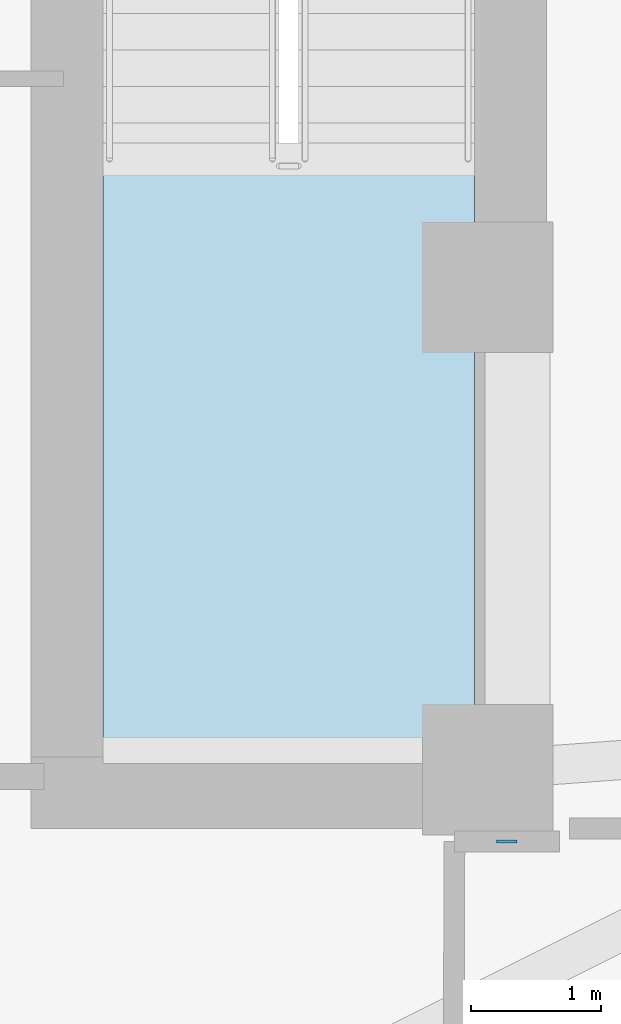
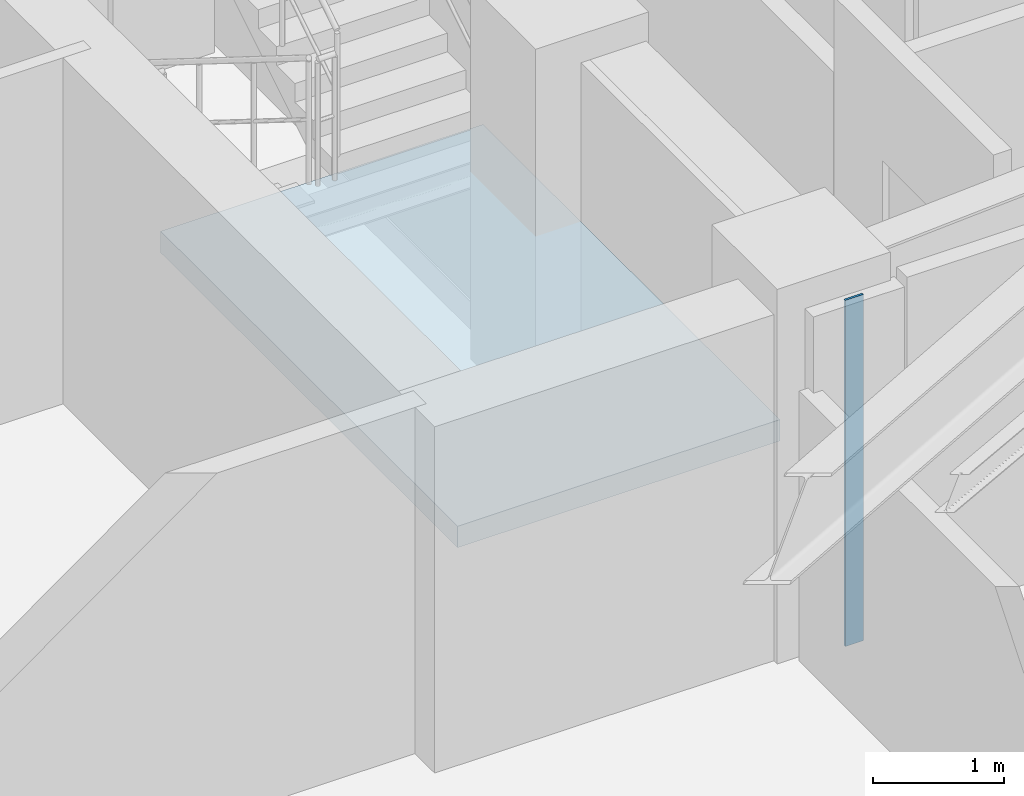
# One storey, part 3 of 14: 1 plate, 1 slab, 1 element without a shape of its own.
"""IFC4 building model written with IfcOpenShell, lengths in metres."""

from ifc_helpers import new_model, si_unit, direction, frame, origin, origin_2d, place, context, subcontext, project, spatial, polyline, rectangle, outline, extrude, material, layer, layer_set, type_object, element, aggregate, save


model = new_model("IFC4")

# Units and contexts
model_context = context("Model", 3, precision=1e-05, world=origin(), true_north=direction((0.0, 1.0)))
body_context = subcontext(model_context, "Body", "Model", "MODEL_VIEW")
ifc_project = project(units=[si_unit("LENGTHUNIT", "METRE"), si_unit("AREAUNIT", "SQUARE_METRE"), si_unit("VOLUMEUNIT", "CUBIC_METRE"), si_unit("PLANEANGLEUNIT", "RADIAN"), si_unit("MASSUNIT", "GRAM", prefix="KILO")], contexts=[model_context])

# Site, building, storey
site_placement = place(None, origin())
site = spatial("IfcSite", under=ifc_project, at=site_placement, CompositionType="ELEMENT")
building_placement = place(site_placement, origin())
building = spatial("IfcBuilding", under=site, at=building_placement, Name="Miruveldt Soraemaru", CompositionType="ELEMENT")
storey_placement = place(building_placement, frame((0.0, 0.0, 131.89990234375)))
storey = spatial("IfcBuildingStorey", under=building, at=storey_placement, Name="L36", CompositionType="ELEMENT", Elevation=131.89990234375)

# Plate
ifc_material_1 = material(Name="Anodised aluminium EN AW-6063 T6", Category="aluminium")
ifc_layer_1 = layer(ifc_material_1, 0.02001953125, Name="Anodised aluminium EN AW-6063 T6", Category="aluminium")
ifc_layer_set_1 = layer_set([ifc_layer_1], Name="Anodised aluminium EN AW-6063 T6")
plate_type = type_object("IfcPlateType", Name="PLT-PART-TRIM", PredefinedType="SHEET", material=ifc_layer_set_1)
plate_placement = place(storey_placement, frame((52.6474609375, 34.949951171875, 0.0), z_axis=(0.0, 0.0, 1.0), x_axis=(1.0, 0.0, 0.0)))
element("IfcPlate", 1, at=plate_placement, inside=storey, type_object=plate_type, Name="L36 Partition Step Corner Trim Plate 092", PredefinedType="SHEET", context=body_context, shape_type="SweptSolid", body=[
    extrude(rectangle(XDim=0.159912109375, YDim=0.02001953125, at=origin_2d()), origin(), (0.0, 0.0, 1.0), 3.235107421875),
])

# Stair, slab
ifc_material_2 = material(Name="Concrete C40/50 (40 MPa)", Category="concrete")
stair_type = type_object("IfcStairType", Name="STAIR-DL-350", PredefinedType="HALF_TURN_STAIR", material=ifc_material_2)
stair_placement = place(storey_placement, origin())
stair = element("IfcStair", 2, at=stair_placement, inside=storey, type_object=stair_type, Name="L36 Protected Exit Stair ST-2", PredefinedType="HALF_TURN_STAIR")
ifc_layer_2 = layer(ifc_material_2, 0.199951171875, Name="Concrete C40/50 (40 MPa)", Category="concrete")
ifc_layer_set_2 = layer_set([ifc_layer_2], Name="Concrete C40/50 (40 MPa)")
slab_type = type_object("IfcSlabType", Name="SLAB-LAND-200", PredefinedType="LANDING", material=ifc_layer_set_2)
slab_placement = place(storey_placement, frame((0.0, 0.0, 1.550048828125)))
slab = element("IfcSlab", 3, at=slab_placement, type_object=slab_type, Name="ST-2 landing 1", PredefinedType="LANDING", context=body_context, shape_type="SweptSolid", body=[
    extrude(outline(polyline([(49.550048828125, 40.197998046875), (49.550048828125, 35.64990234375), (52.39990234375, 35.64990234375), (52.39990234375, 40.197998046875), (49.550048828125, 40.197998046875)])), origin(), (0.0, 0.0, 1.0), 0.199951171875),
])
aggregate(stair, [slab])

save(model, "model.ifc")
